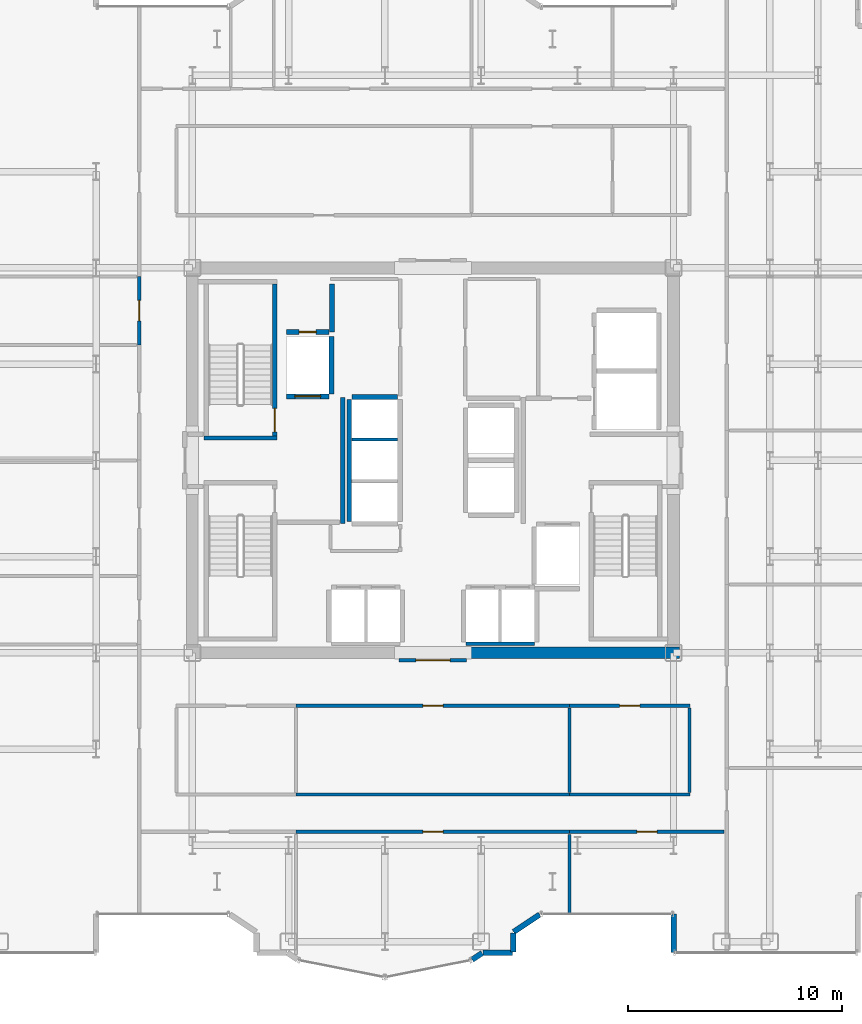
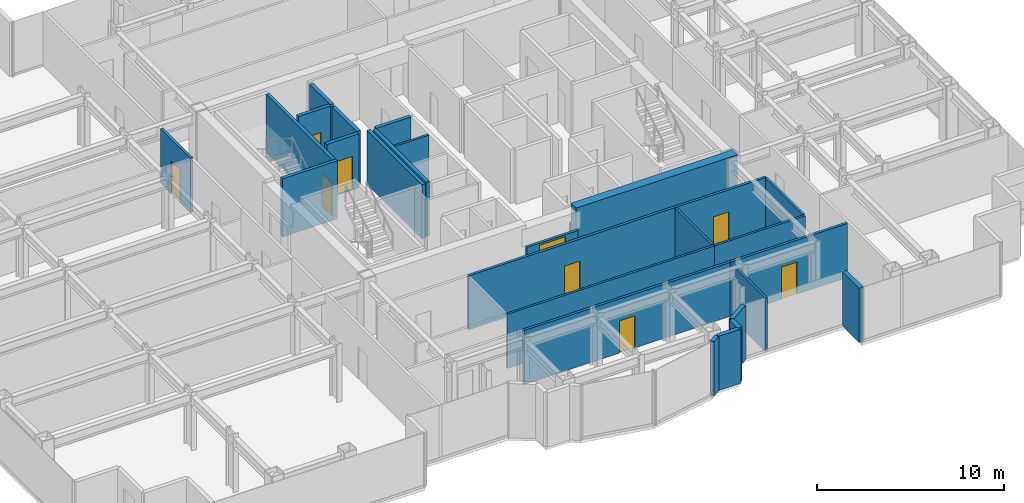
# One storey, part 18 of 23: 28 walls, 9 doors, 9 openings.
"""IFC4 building model written with IfcOpenShell, lengths in metres."""

from ifc_helpers import new_model, si_unit, direction, frame, frame_2d, origin, place, context, subcontext, project, spatial, rectangle, extrude, source, transform, mapped, material, layer, layer_set, type_object, element, fill, save


model = new_model("IFC4")

# Units and contexts
model_context = context("Model", 3, precision=1e-05, world=origin(), true_north=direction((0.0, 1.0)))
body_context = subcontext(model_context, "Body", "Model", "MODEL_VIEW")
ifc_project = project(units=[si_unit("LENGTHUNIT", "METRE"), si_unit("AREAUNIT", "SQUARE_METRE"), si_unit("VOLUMEUNIT", "CUBIC_METRE"), si_unit("PLANEANGLEUNIT", "RADIAN"), si_unit("MASSUNIT", "GRAM", prefix="KILO")], contexts=[model_context])

# Site, building, storey
site_placement = place(None, origin())
site = spatial("IfcSite", under=ifc_project, at=site_placement, CompositionType="ELEMENT")
building_placement = place(site_placement, origin())
building = spatial("IfcBuilding", under=site, at=building_placement, Name="Nefas-Gora Pilgrimage Tower", CompositionType="ELEMENT")
storey_placement = place(building_placement, frame((0.0, 0.0, 190.60009765625)))
storey = spatial("IfcBuildingStorey", under=building, at=storey_placement, Name="L47", CompositionType="ELEMENT", Elevation=190.60009765625)

# Walls
ifc_material_1 = material(Name="Concrete C60/75", Category="concrete")
ifc_layer_1 = layer(ifc_material_1, 0.550048828125)
ifc_layer_set_1 = layer_set([ifc_layer_1], Name="Concrete C60/75")
wall_type_1 = type_object("IfcWallType", Name="SW-CORE-550", PredefinedType="SHEAR", material=ifc_layer_set_1)
shared_shape_1 = source(origin(), body_context, "Body", "SweptSolid", [
    extrude(rectangle(XDim=9.974853515625, YDim=0.550048828125, at=frame_2d((4.9873046875, 0.0))), origin(), (0.0, 0.0, 1.0), 3.7998046875),
])
wall_1_placement = place(storey_placement, frame((1.550048828125, -9.0, 0.0), z_axis=(0.0, 0.0, 1.0), x_axis=(1.0, 0.0, 0.0)))
element("IfcWall", 1, at=wall_1_placement, inside=storey, type_object=wall_type_1, Name="L47 Core Shear Wall S-East", PredefinedType="SHEAR", context=body_context, shape_type="MappedRepresentation", body=[
    mapped(shared_shape_1, transform((0.0, 0.0, 0.0), x_axis=(1.0, 0.0, 0.0), y_axis=(0.0, 1.0, 0.0), z_axis=(0.0, 0.0, 1.0), scale=1.0)),
])
ifc_material_2 = material(Name="Precast concrete C40/50", Category="concrete")
ifc_layer_2 = layer(ifc_material_2, 0.260009765625)
ifc_layer_set_2 = layer_set([ifc_layer_2], Name="Precast concrete C40/50")
wall_type_2 = type_object("IfcWallType", Name="EW-PORTAL-260", PredefinedType="SOLIDWALL", material=ifc_layer_set_2)
shared_shape_2 = source(origin(), body_context, "Body", "SweptSolid", [
    extrude(rectangle(XDim=1.800048828125, YDim=0.260009765625, at=frame_2d((0.89990234375, 0.0))), origin(), (0.0, 0.0, 1.0), 3.5498046875),
])
wall_2_placement = place(storey_placement, frame((11.25, -21.219970703125, 0.0), z_axis=(0.0, 0.0, 1.0), x_axis=(0.0, -1.0, 0.0)))
element("IfcWall", 2, at=wall_2_placement, inside=storey, type_object=wall_type_2, Name="L47 Lobe Shoulder Precast Spandrel Pier 1", PredefinedType="SOLIDWALL", context=body_context, shape_type="MappedRepresentation", body=[
    mapped(shared_shape_2, transform((0.0, 0.0, 0.0), x_axis=(1.0, 0.0, 0.0), y_axis=(0.0, 1.0, 0.0), z_axis=(0.0, 0.0, 1.0), scale=1.0)),
])
shared_shape_3 = source(origin(), body_context, "Body", "SweptSolid", [
    extrude(rectangle(XDim=1.468994140625, YDim=0.260009765625, at=frame_2d((0.734375, 0.0))), origin(), (0.0, 0.0, 1.0), 3.5498046875),
])
wall_3_placement = place(storey_placement, frame((3.773193359375, -22.0517578125, 0.0), z_axis=(0.0, 0.0, 1.0), x_axis=(0.831461760506, 0.555581983884, 0.0)))
element("IfcWall", 3, at=wall_3_placement, inside=storey, type_object=wall_type_2, Name="L47 Lobe Shoulder Precast Spandrel Pier 36", PredefinedType="SOLIDWALL", context=body_context, shape_type="MappedRepresentation", body=[
    mapped(shared_shape_3, transform((0.0, 0.0, 0.0), x_axis=(1.0, 0.0, 0.0), y_axis=(0.0, 1.0, 0.0), z_axis=(0.0, 0.0, 1.0), scale=1.0)),
])
shared_shape_4 = source(origin(), body_context, "Body", "SweptSolid", [
    extrude(rectangle(XDim=0.896728515625, YDim=0.260009765625, at=frame_2d((0.4482421875, 0.0))), origin(), (0.0, 0.0, 1.0), 3.5498046875),
])
wall_4_placement = place(storey_placement, frame((3.75, -22.991943359375, 0.0), z_axis=(0.0, 0.0, 1.0), x_axis=(0.0, 1.0, 0.0)))
element("IfcWall", 4, at=wall_4_placement, inside=storey, type_object=wall_type_2, Name="L47 Lobe Shoulder Precast Spandrel Pier 35", PredefinedType="SOLIDWALL", context=body_context, shape_type="MappedRepresentation", body=[
    mapped(shared_shape_4, transform((0.0, 0.0, 0.0), x_axis=(1.0, 0.0, 0.0), y_axis=(0.0, 1.0, 0.0), z_axis=(0.0, 0.0, 1.0), scale=1.0)),
])
shared_shape_5 = source(origin(), body_context, "Body", "SweptSolid", [
    extrude(rectangle(XDim=1.369873046875, YDim=0.260009765625, at=frame_2d((0.68505859375, 0.0))), origin(), (0.0, 0.0, 1.0), 3.5498046875),
])
wall_5_placement = place(storey_placement, frame((2.35205078125, -23.02001953125, 0.0), z_axis=(0.0, 0.0, 1.0), x_axis=(1.0, 0.0, 0.0)))
element("IfcWall", 5, at=wall_5_placement, inside=storey, type_object=wall_type_2, Name="L47 Lobe Shoulder Precast Spandrel Pier 34", PredefinedType="SOLIDWALL", context=body_context, shape_type="MappedRepresentation", body=[
    mapped(shared_shape_5, transform((0.0, 0.0, 0.0), x_axis=(1.0, 0.0, 0.0), y_axis=(0.0, 1.0, 0.0), z_axis=(0.0, 0.0, 1.0), scale=1.0)),
])
shared_shape_6 = source(origin(), body_context, "Body", "SweptSolid", [
    extrude(rectangle(XDim=0.5654296875, YDim=0.260009765625, at=frame_2d((0.28271484375, 0.0))), origin(), (0.0, 0.0, 1.0), 3.5498046875),
])
wall_6_placement = place(storey_placement, frame((1.83056640625, -23.349609375, 0.0), z_axis=(0.0, 0.0, 1.0), x_axis=(0.831651492666, 0.555297933317, 0.0)))
element("IfcWall", 6, at=wall_6_placement, inside=storey, type_object=wall_type_2, Name="L47 Lobe Shoulder Precast Spandrel Pier 33", PredefinedType="SOLIDWALL", context=body_context, shape_type="MappedRepresentation", body=[
    mapped(shared_shape_6, transform((0.0, 0.0, 0.0), x_axis=(1.0, 0.0, 0.0), y_axis=(0.0, 1.0, 0.0), z_axis=(0.0, 0.0, 1.0), scale=1.0)),
])
ifc_material_3 = material(Name="Concrete C45/55", Category="concrete")
ifc_layer_3 = layer(ifc_material_3, 0.199951171875)
ifc_layer_set_3 = layer_set([ifc_layer_3], Name="Concrete C45/55")
wall_type_3 = type_object("IfcWallType", Name="IW-STAIR-200", PredefinedType="SOLIDWALL", material=ifc_layer_set_3)
shared_shape_7 = source(origin(), body_context, "Body", "SweptSolid", [
    extrude(rectangle(XDim=3.39990234375, YDim=0.199951171875, at=frame_2d((1.699951171875, 0.0))), origin(), (0.0, 0.0, 1.0), 3.7998046875),
])
wall_7_placement = place(storey_placement, frame((-7.300048828125, 1.050048828125, 0.0), z_axis=(0.0, 0.0, 1.0), x_axis=(-1.0, 0.0, 0.0)))
element("IfcWall", 7, at=wall_7_placement, inside=storey, type_object=wall_type_3, Name="L47 Stairwell Shear Wall ST-01-near", PredefinedType="SOLIDWALL", context=body_context, shape_type="MappedRepresentation", body=[
    mapped(shared_shape_7, transform((0.0, 0.0, 0.0), x_axis=(1.0, 0.0, 0.0), y_axis=(0.0, 1.0, 0.0), z_axis=(0.0, 0.0, 1.0), scale=1.0)),
])

# Wall, opening, door
shared_shape_8 = source(origin(), body_context, "Body", "SweptSolid", [
    extrude(rectangle(XDim=7.10009765625, YDim=0.199951171875, at=frame_2d((3.550048828125, 0.0))), origin(), (0.0, 0.0, 1.0), 3.7998046875),
])
wall_8_placement = place(storey_placement, frame((-7.39990234375, 1.14990234375, 0.0), z_axis=(0.0, 0.0, 1.0), x_axis=(0.0, 1.0, 0.0)))
wall_8 = element("IfcWall", 8, at=wall_8_placement, inside=storey, type_object=wall_type_3, Name="L47 Stairwell Shear Wall ST-01-left", PredefinedType="SOLIDWALL", context=body_context, shape_type="MappedRepresentation", body=[
    mapped(shared_shape_8, transform((0.0, 0.0, 0.0), x_axis=(1.0, 0.0, 0.0), y_axis=(0.0, 1.0, 0.0), z_axis=(0.0, 0.0, 1.0), scale=1.0)),
])
opening_1_placement = place(wall_8_placement, frame((0.179931640625, 0.0, 0.0)))
opening_1 = element("IfcOpeningElement", 9, at=opening_1_placement, cuts=wall_8, Name="Opening ID-ST1", PredefinedType="OPENING", context=body_context, shape_type="SweptSolid", body=[
    extrude(rectangle(XDim=1.10009765625, YDim=2.14990234375, at=frame_2d((0.550048828125, 1.074951171875))), frame((0.0, 0.10986328125, 0.0), z_axis=(0.0, -1.0, 0.0), x_axis=(1.0, 0.0, 0.0)), (0.0, 0.0, 1.0), 0.219970703125),
])
ifc_material_4 = material(Name="Painted galvanised steel fire stair door", Category="steel")
door_type_1 = type_object("IfcDoorType", Name="DR-INT-STAIR-1100", OperationType="NOTDEFINED", PredefinedType="DOOR", material=ifc_material_4)
shared_shape_9 = source(origin(), body_context, "Body", "SweptSolid", [
    extrude(rectangle(XDim=1.10009765625, YDim=2.14990234375, at=frame_2d((0.550048828125, 1.074951171875))), frame((0.0, 0.02490234375, 0.0), z_axis=(0.0, -1.0, 0.0), x_axis=(1.0, 0.0, 0.0)), (0.0, 0.0, 1.0), 0.050048828125),
])
door_1_placement = place(opening_1_placement, origin())
door_1 = element("IfcDoor", 10, at=door_1_placement, inside=storey, type_object=door_type_1, Name="L47 Protected Exit Stair Door ST-01", OperationType="SINGLE_SWING_LEFT", OverallHeight=2.14990234375, OverallWidth=1.10009765625, PredefinedType="DOOR", context=body_context, shape_type="MappedRepresentation", body=[
    mapped(shared_shape_9, transform((0.0, 0.0, 0.0), x_axis=(1.0, 0.0, 0.0), y_axis=(0.0, 1.0, 0.0), z_axis=(0.0, 0.0, 1.0), scale=1.0)),
])
fill(opening_1, door_1)

ifc_material_5 = material(Name="Concrete C40/50", Category="concrete")
ifc_layer_4 = layer(ifc_material_5, 0.219970703125)
ifc_layer_set_4 = layer_set([ifc_layer_4], Name="Concrete C40/50")
wall_type_4 = type_object("IfcWallType", Name="IW-SHAFT-220", PredefinedType="SOLIDWALL", material=ifc_layer_set_4)
shared_shape_10 = source(origin(), body_context, "Body", "SweptSolid", [
    extrude(rectangle(XDim=2.0, YDim=0.219970703125, at=frame_2d((1.0, 0.0))), origin(), (0.0, 0.0, 1.0), 3.534912109375),
])
wall_9_placement = place(storey_placement, frame((-6.85009765625, 2.989990234375, 0.0), z_axis=(0.0, 0.0, 1.0), x_axis=(1.0, 0.0, 0.0)))
wall_9 = element("IfcWall", 11, at=wall_9_placement, inside=storey, type_object=wall_type_4, Name="L47 Hoistway Wall FFL-01-S", PredefinedType="SOLIDWALL", context=body_context, shape_type="MappedRepresentation", body=[
    mapped(shared_shape_10, transform((0.0, 0.0, 0.0), x_axis=(1.0, 0.0, 0.0), y_axis=(0.0, 1.0, 0.0), z_axis=(0.0, 0.0, 1.0), scale=1.0)),
])
opening_2_placement = place(wall_9_placement, frame((0.39990234375, 0.0, 0.0)))
opening_2 = element("IfcOpeningElement", 12, at=opening_2_placement, cuts=wall_9, Name="Opening LD-FF", PredefinedType="OPENING", context=body_context, shape_type="SweptSolid", body=[
    extrude(rectangle(XDim=1.199951171875, YDim=2.199951171875, at=frame_2d((0.60009765625, 1.10009765625))), frame((0.0, 0.119873046875, 0.0), z_axis=(0.0, -1.0, 0.0), x_axis=(1.0, 0.0, 0.0)), (0.0, 0.0, 1.0), 0.239990234375),
])
ifc_material_6 = material(Name="Fire-service sliding lift landing door")
door_type_2 = type_object("IfcDoorType", Name="DR-LIFT-FSAE-1200", OperationType="SLIDING_TO_LEFT", PredefinedType="DOOR", material=ifc_material_6)
shared_shape_11 = source(origin(), body_context, "Body", "SweptSolid", [
    extrude(rectangle(XDim=1.199951171875, YDim=2.199951171875, at=frame_2d((0.60009765625, 1.10009765625))), frame((0.0, 0.02490234375, 0.0), z_axis=(0.0, -1.0, 0.0), x_axis=(1.0, 0.0, 0.0)), (0.0, 0.0, 1.0), 0.050048828125),
])
door_2_placement = place(opening_2_placement, origin())
door_2 = element("IfcDoor", 13, at=door_2_placement, inside=storey, type_object=door_type_2, Name="L47 Sliding Lift Landing Door FFL-01", OperationType="SLIDING_TO_LEFT", OverallHeight=2.199951171875, OverallWidth=1.199951171875, PredefinedType="DOOR", context=body_context, shape_type="MappedRepresentation", body=[
    mapped(shared_shape_11, transform((0.0, 0.0, 0.0), x_axis=(1.0, 0.0, 0.0), y_axis=(0.0, 1.0, 0.0), z_axis=(0.0, 0.0, 1.0), scale=1.0)),
])
fill(opening_2, door_2)

# Walls
shared_shape_12 = source(origin(), body_context, "Body", "SweptSolid", [
    extrude(rectangle(XDim=2.679931640625, YDim=0.219970703125, at=frame_2d((1.33984375, 0.0))), origin(), (0.0, 0.0, 1.0), 3.534912109375),
])
wall_10_placement = place(storey_placement, frame((-4.739990234375, 3.110107421875, 0.0), z_axis=(0.0, 0.0, 1.0), x_axis=(0.0, 1.0, 0.0)))
element("IfcWall", 14, at=wall_10_placement, inside=storey, type_object=wall_type_4, Name="L47 Hoistway Wall FFL-01-E", PredefinedType="SOLIDWALL", context=body_context, shape_type="MappedRepresentation", body=[
    mapped(shared_shape_12, transform((0.0, 0.0, 0.0), x_axis=(1.0, 0.0, 0.0), y_axis=(0.0, 1.0, 0.0), z_axis=(0.0, 0.0, 1.0), scale=1.0)),
])
shared_shape_13 = source(origin(), body_context, "Body", "SweptSolid", [
    extrude(rectangle(XDim=5.7001953125, YDim=0.219970703125, at=frame_2d((2.85009765625, 0.0))), origin(), (0.0, 0.0, 1.0), 3.534912109375),
])
wall_11_placement = place(storey_placement, frame((-3.909912109375, 2.85009765625, 0.0), z_axis=(0.0, 0.0, 1.0), x_axis=(0.0, -1.0, 0.0)))
element("IfcWall", 15, at=wall_11_placement, inside=storey, type_object=wall_type_4, Name="L47 Hoistway Wall PL3-01-03-W", PredefinedType="SOLIDWALL", context=body_context, shape_type="MappedRepresentation", body=[
    mapped(shared_shape_13, transform((0.0, 0.0, 0.0), x_axis=(1.0, 0.0, 0.0), y_axis=(0.0, 1.0, 0.0), z_axis=(0.0, 0.0, 1.0), scale=1.0)),
])
shared_shape_14 = source(origin(), body_context, "Body", "SweptSolid", [
    extrude(rectangle(XDim=2.130126953125, YDim=0.219970703125, at=frame_2d((1.06494140625, 0.0))), origin(), (0.0, 0.0, 1.0), 3.534912109375),
])
wall_12_placement = place(storey_placement, frame((-1.659912109375, 2.9599609375, 0.0), z_axis=(0.0, 0.0, 1.0), x_axis=(-1.0, 0.0, 0.0)))
element("IfcWall", 16, at=wall_12_placement, inside=storey, type_object=wall_type_4, Name="L47 Hoistway Wall PL3-03-N", PredefinedType="SOLIDWALL", context=body_context, shape_type="MappedRepresentation", body=[
    mapped(shared_shape_14, transform((0.0, 0.0, 0.0), x_axis=(1.0, 0.0, 0.0), y_axis=(0.0, 1.0, 0.0), z_axis=(0.0, 0.0, 1.0), scale=1.0)),
])
ifc_material_7 = material(Name="Gypsum twin-stud partition")
ifc_layer_5 = layer(ifc_material_7, 0.139892578125)
ifc_layer_set_5 = layer_set([ifc_layer_5], Name="Gypsum twin-stud partition")
wall_type_5 = type_object("IfcWallType", Name="IW-UNIT-140", PredefinedType="PARTITIONING", material=ifc_layer_set_5)
shared_shape_15 = source(origin(), body_context, "Body", "SweptSolid", [
    extrude(rectangle(XDim=2.130126953125, YDim=0.139892578125, at=frame_2d((1.06494140625, 0.0))), origin(), (0.0, 0.0, 1.0), 3.534912109375),
])
wall_13_placement = place(storey_placement, frame((-3.7900390625, 0.97509765625, 0.0), z_axis=(0.0, 0.0, 1.0), x_axis=(1.0, 0.0, 0.0)))
element("IfcWall", 17, at=wall_13_placement, inside=storey, type_object=wall_type_5, Name="L47 Hoistway Wall PL3-02-03-DIV", PredefinedType="PARTITIONING", context=body_context, shape_type="MappedRepresentation", body=[
    mapped(shared_shape_15, transform((0.0, 0.0, 0.0), x_axis=(1.0, 0.0, 0.0), y_axis=(0.0, 1.0, 0.0), z_axis=(0.0, 0.0, 1.0), scale=1.0)),
])
ifc_material_8 = material(Name="Gypsum acoustic stud partition")
ifc_layer_6 = layer(ifc_material_8, 0.159912109375)
ifc_layer_set_6 = layer_set([ifc_layer_6], Name="Gypsum acoustic stud partition")
wall_type_6 = type_object("IfcWallType", Name="IW-CORR-160", PredefinedType="PARTITIONING", material=ifc_layer_set_6)
shared_shape_16 = source(origin(), body_context, "Body", "SweptSolid", [
    extrude(rectangle(XDim=3.199951171875, YDim=0.159912109375, at=frame_2d((1.60009765625, 0.0))), origin(), (0.0, 0.0, 1.0), 2.4248046875),
])
wall_14_placement = place(storey_placement, frame((1.550048828125, -8.580078125, 0.0), z_axis=(0.0, 0.0, 1.0), x_axis=(1.0, 0.0, 0.0)))
element("IfcWall", 18, at=wall_14_placement, inside=storey, type_object=wall_type_6, Name="L47 Hoistway Wall PL2-E-S", PredefinedType="PARTITIONING", context=body_context, shape_type="MappedRepresentation", body=[
    mapped(shared_shape_16, transform((0.0, 0.0, 0.0), x_axis=(1.0, 0.0, 0.0), y_axis=(0.0, 1.0, 0.0), z_axis=(0.0, 0.0, 1.0), scale=1.0)),
])
ifc_material_9 = material(Name="Gypsum fire-rated shaftwall")
ifc_layer_7 = layer(ifc_material_9, 0.199951171875)
ifc_layer_set_7 = layer_set([ifc_layer_7], Name="Gypsum fire-rated shaftwall")
wall_type_7 = type_object("IfcWallType", Name="IW-FFLOB-200", PredefinedType="PARTITIONING", material=ifc_layer_set_7)
shared_shape_17 = source(origin(), body_context, "Body", "SweptSolid", [
    extrude(rectangle(XDim=5.89990234375, YDim=0.199951171875, at=frame_2d((2.949951171875, 0.0))), origin(), (0.0, 0.0, 1.0), 3.534912109375),
])
wall_15_placement = place(storey_placement, frame((-4.219970703125, -2.949951171875, 0.0), z_axis=(0.0, 0.0, 1.0), x_axis=(0.0, 1.0, 0.0)))
element("IfcWall", 19, at=wall_15_placement, inside=storey, type_object=wall_type_7, Name="L47 FF Lobby West Inner Wall Wall 5", PredefinedType="PARTITIONING", context=body_context, shape_type="MappedRepresentation", body=[
    mapped(shared_shape_17, transform((0.0, 0.0, 0.0), x_axis=(1.0, 0.0, 0.0), y_axis=(0.0, 1.0, 0.0), z_axis=(0.0, 0.0, 1.0), scale=1.0)),
])

# Wall, opening, door
shared_shape_18 = source(origin(), body_context, "Body", "SweptSolid", [
    extrude(rectangle(XDim=3.2099609375, YDim=0.159912109375, at=frame_2d((1.60498046875, 0.0))), origin(), (0.0, 0.0, 1.0), 3.534912109375),
])
wall_16_placement = place(storey_placement, frame((-13.739990234375, 5.39501953125, 0.0), z_axis=(0.0, 0.0, 1.0), x_axis=(0.0, 1.0, 0.0)))
wall_16 = element("IfcWall", 20, at=wall_16_placement, inside=storey, type_object=wall_type_6, Name="L47 Pilgrim Fellowship Seminar Room Partition Wall 36", PredefinedType="PARTITIONING", context=body_context, shape_type="MappedRepresentation", body=[
    mapped(shared_shape_18, transform((0.0, 0.0, 0.0), x_axis=(1.0, 0.0, 0.0), y_axis=(0.0, 1.0, 0.0), z_axis=(0.0, 0.0, 1.0), scale=1.0)),
])
opening_3_placement = place(wall_16_placement, frame((1.1298828125, 0.0, 0.0)))
opening_3 = element("IfcOpeningElement", 21, at=opening_3_placement, cuts=wall_16, Name="Opening ID-GR1", PredefinedType="OPENING", context=body_context, shape_type="SweptSolid", body=[
    extrude(rectangle(XDim=0.949951171875, YDim=2.10009765625, at=frame_2d((0.47509765625, 1.050048828125))), frame((0.0, 0.08984375, 0.0), z_axis=(0.0, -1.0, 0.0), x_axis=(1.0, 0.0, 0.0)), (0.0, 0.0, 1.0), 0.179931640625),
])
ifc_material_10 = material(Name="Solid core oak fire-rated guest entrance door")
door_type_3 = type_object("IfcDoorType", Name="DR-INT-GUEST-950", OperationType="NOTDEFINED", PredefinedType="DOOR", material=ifc_material_10)
shared_shape_19 = source(origin(), body_context, "Body", "SweptSolid", [
    extrude(rectangle(XDim=0.949951171875, YDim=2.10009765625, at=frame_2d((0.47509765625, 1.050048828125))), frame((0.0, 0.02490234375, 0.0), z_axis=(0.0, -1.0, 0.0), x_axis=(1.0, 0.0, 0.0)), (0.0, 0.0, 1.0), 0.050048828125),
])
door_3_placement = place(opening_3_placement, origin())
door_3 = element("IfcDoor", 22, at=door_3_placement, inside=storey, type_object=door_type_3, Name="L47 Pilgrim Fellowship Seminar Room Door 15", OperationType="SINGLE_SWING_RIGHT", OverallHeight=2.10009765625, OverallWidth=0.949951171875, PredefinedType="DOOR", context=body_context, shape_type="MappedRepresentation", body=[
    mapped(shared_shape_19, transform((0.0, 0.0, 0.0), x_axis=(1.0, 0.0, 0.0), y_axis=(0.0, 1.0, 0.0), z_axis=(0.0, 0.0, 1.0), scale=1.0)),
])
fill(opening_3, door_3)

shared_shape_20 = source(origin(), body_context, "Body", "SweptSolid", [
    extrude(rectangle(XDim=7.22509765625, YDim=0.159912109375, at=frame_2d((3.612548828125, 0.0))), origin(), (0.0, 0.0, 1.0), 3.534912109375),
])
wall_17_placement = place(storey_placement, frame((6.39501953125, -17.3701171875, 0.0), z_axis=(0.0, 0.0, 1.0), x_axis=(1.0, 0.0, 0.0)))
wall_17 = element("IfcWall", 23, at=wall_17_placement, inside=storey, type_object=wall_type_6, Name="L47 Pilgrim Contemplative Lounge Partition Wall 75", PredefinedType="PARTITIONING", context=body_context, shape_type="MappedRepresentation", body=[
    mapped(shared_shape_20, transform((0.0, 0.0, 0.0), x_axis=(1.0, 0.0, 0.0), y_axis=(0.0, 1.0, 0.0), z_axis=(0.0, 0.0, 1.0), scale=1.0)),
])
opening_4_placement = place(wall_17_placement, frame((3.137451171875, 0.0, 0.0)))
opening_4 = element("IfcOpeningElement", 24, at=opening_4_placement, cuts=wall_17, Name="Opening ID-GR1", PredefinedType="OPENING", context=body_context, shape_type="SweptSolid", body=[
    extrude(rectangle(XDim=0.949951171875, YDim=2.10009765625, at=frame_2d((0.47509765625, 1.050048828125))), frame((0.0, 0.08984375, 0.0), z_axis=(0.0, -1.0, 0.0), x_axis=(1.0, 0.0, 0.0)), (0.0, 0.0, 1.0), 0.179931640625),
])
door_4_placement = place(opening_4_placement, origin())
door_4 = element("IfcDoor", 25, at=door_4_placement, inside=storey, type_object=door_type_3, Name="L47 Pilgrim Contemplative Lounge Door 33", OperationType="SINGLE_SWING_RIGHT", OverallHeight=2.10009765625, OverallWidth=0.949951171875, PredefinedType="DOOR", context=body_context, shape_type="MappedRepresentation", body=[
    mapped(shared_shape_19, transform((0.0, 0.0, 0.0), x_axis=(1.0, 0.0, 0.0), y_axis=(0.0, 1.0, 0.0), z_axis=(0.0, 0.0, 1.0), scale=1.0)),
])
fill(opening_4, door_4)

shared_shape_21 = source(origin(), body_context, "Body", "SweptSolid", [
    extrude(rectangle(XDim=3.16015625, YDim=0.159912109375, at=frame_2d((1.580078125, 0.0))), origin(), (0.0, 0.0, 1.0), 2.4248046875),
])
wall_18_placement = place(storey_placement, frame((-1.580078125, -9.35009765625, 0.0), z_axis=(0.0, 0.0, 1.0), x_axis=(1.0, 0.0, 0.0)))
wall_18 = element("IfcWall", 26, at=wall_18_placement, inside=storey, type_object=wall_type_6, Name="L47 Central Lift Lobby South Portal Wall 16", PredefinedType="PARTITIONING", context=body_context, shape_type="MappedRepresentation", body=[
    mapped(shared_shape_21, transform((0.0, 0.0, 0.0), x_axis=(1.0, 0.0, 0.0), y_axis=(0.0, 1.0, 0.0), z_axis=(0.0, 0.0, 1.0), scale=1.0)),
])
opening_5_placement = place(wall_18_placement, frame((0.780029296875, 0.0, 0.0)))
opening_5 = element("IfcOpeningElement", 27, at=opening_5_placement, cuts=wall_18, Name="Opening ID-HL1", PredefinedType="OPENING", context=body_context, shape_type="SweptSolid", body=[
    extrude(rectangle(XDim=1.60009765625, YDim=2.300048828125, at=frame_2d((0.800048828125, 1.14990234375))), frame((0.0, 0.08984375, 0.0), z_axis=(0.0, -1.0, 0.0), x_axis=(1.0, 0.0, 0.0)), (0.0, 0.0, 1.0), 0.179931640625),
])
ifc_material_11 = material(Name="Double acoustic timber assembly hall door", Category="wood")
door_type_4 = type_object("IfcDoorType", Name="DR-INT-HALL-1600", OperationType="DOUBLE_DOOR_SINGLE_SWING", PredefinedType="DOOR", material=ifc_material_11)
shared_shape_22 = source(origin(), body_context, "Body", "SweptSolid", [
    extrude(rectangle(XDim=1.60009765625, YDim=2.300048828125, at=frame_2d((0.800048828125, 1.14990234375))), frame((0.0, 0.02490234375, 0.0), z_axis=(0.0, -1.0, 0.0), x_axis=(1.0, 0.0, 0.0)), (0.0, 0.0, 1.0), 0.050048828125),
])
door_5_placement = place(opening_5_placement, origin())
door_5 = element("IfcDoor", 28, at=door_5_placement, inside=storey, type_object=door_type_4, Name="L47 Central Lift Lobby South Portal Door 6", OperationType="DOUBLE_DOOR_SINGLE_SWING", OverallHeight=2.300048828125, OverallWidth=1.60009765625, PredefinedType="DOOR", context=body_context, shape_type="MappedRepresentation", body=[
    mapped(shared_shape_22, transform((0.0, 0.0, 0.0), x_axis=(1.0, 0.0, 0.0), y_axis=(0.0, 1.0, 0.0), z_axis=(0.0, 0.0, 1.0), scale=1.0)),
])
fill(opening_5, door_5)

# Walls
shared_shape_23 = source(origin(), body_context, "Body", "SweptSolid", [
    extrude(rectangle(XDim=3.929931640625, YDim=0.139892578125, at=frame_2d((1.96484375, 0.0))), origin(), (0.0, 0.0, 1.0), 3.534912109375),
])
for number, where, z_axis, x_axis, name in (
    (29, (6.39501953125, -15.52001953125, 0.0), (0.0, 0.0, 1.0), (0.0, 1.0, 0.0), "L47 Pilgrim Contemplative Lounge Partition Wall 74"),
    (30, (12.0, -15.52001953125, 0.0), (0.0, 0.0, 1.0), (0.0, 1.0, 0.0), "L47 Pilgrim Contemplative Lounge Partition Wall 78"),
):
    element("IfcWall", number, at=place(storey_placement, frame(where, z_axis=z_axis, x_axis=x_axis)), inside=storey, type_object=wall_type_5, Name=name, PredefinedType="PARTITIONING", context=body_context, shape_type="MappedRepresentation", body=[
        mapped(shared_shape_23, transform((0.0, 0.0, 0.0), x_axis=(1.0, 0.0, 0.0), y_axis=(0.0, 1.0, 0.0), z_axis=(0.0, 0.0, 1.0), scale=1.0)),
    ])
shared_shape_24 = source(origin(), body_context, "Body", "SweptSolid", [
    extrude(rectangle(XDim=3.75, YDim=0.139892578125, at=frame_2d((1.875, 0.0))), origin(), (0.0, 0.0, 1.0), 3.534912109375),
])
wall_19_placement = place(storey_placement, frame((6.39501953125, -21.239990234375, 0.0), z_axis=(0.0, 0.0, 1.0), x_axis=(0.0, 1.0, 0.0)))
element("IfcWall", 31, at=wall_19_placement, inside=storey, type_object=wall_type_5, Name="L47 Pilgrim Contemplative Lounge Partition Wall 71", PredefinedType="PARTITIONING", context=body_context, shape_type="MappedRepresentation", body=[
    mapped(shared_shape_24, transform((0.0, 0.0, 0.0), x_axis=(1.0, 0.0, 0.0), y_axis=(0.0, 1.0, 0.0), z_axis=(0.0, 0.0, 1.0), scale=1.0)),
])
shared_shape_25 = source(origin(), body_context, "Body", "SweptSolid", [
    extrude(rectangle(XDim=2.25, YDim=0.219970703125, at=frame_2d((1.125, 0.0))), origin(), (0.0, 0.0, 1.0), 3.534912109375),
])
wall_20_placement = place(storey_placement, frame((-4.719970703125, 6.0, 0.0), z_axis=(0.0, 0.0, 1.0), x_axis=(0.0, 1.0, 0.0)))
element("IfcWall", 32, at=wall_20_placement, inside=storey, type_object=wall_type_4, Name="L47 Riser Shaft Wall 1", PredefinedType="SOLIDWALL", context=body_context, shape_type="MappedRepresentation", body=[
    mapped(shared_shape_25, transform((0.0, 0.0, 0.0), x_axis=(1.0, 0.0, 0.0), y_axis=(0.0, 1.0, 0.0), z_axis=(0.0, 0.0, 1.0), scale=1.0)),
])

# Wall, opening, door
shared_shape_26 = source(origin(), body_context, "Body", "SweptSolid", [
    extrude(rectangle(XDim=1.97998046875, YDim=0.219970703125, at=frame_2d((0.989990234375, 0.0))), origin(), (0.0, 0.0, 1.0), 3.534912109375),
])
wall_21_placement = place(storey_placement, frame((-6.85009765625, 6.0, 0.0), z_axis=(0.0, 0.0, 1.0), x_axis=(1.0, 0.0, 0.0)))
wall_21 = element("IfcWall", 33, at=wall_21_placement, inside=storey, type_object=wall_type_4, Name="L47 Riser Shaft Wall 2", PredefinedType="SOLIDWALL", context=body_context, shape_type="MappedRepresentation", body=[
    mapped(shared_shape_26, transform((0.0, 0.0, 0.0), x_axis=(1.0, 0.0, 0.0), y_axis=(0.0, 1.0, 0.0), z_axis=(0.0, 0.0, 1.0), scale=1.0)),
])
opening_6_placement = place(wall_21_placement, frame((0.590087890625, 0.0, 0.0)))
opening_6 = element("IfcOpeningElement", 34, at=opening_6_placement, cuts=wall_21, Name="Opening ID-TR1", PredefinedType="OPENING", context=body_context, shape_type="SweptSolid", body=[
    extrude(rectangle(XDim=0.800048828125, YDim=2.0, at=frame_2d((0.39990234375, 1.0))), frame((0.0, 0.119873046875, 0.0), z_axis=(0.0, -1.0, 0.0), x_axis=(1.0, 0.0, 0.0)), (0.0, 0.0, 1.0), 0.239990234375),
])
ifc_material_12 = material(Name="Riser maintenance fire access door")
door_type_5 = type_object("IfcDoorType", Name="DR-INT-TRAP-800", OperationType="NOTDEFINED", PredefinedType="TRAPDOOR", material=ifc_material_12)
shared_shape_27 = source(origin(), body_context, "Body", "SweptSolid", [
    extrude(rectangle(XDim=0.800048828125, YDim=2.0, at=frame_2d((0.39990234375, 1.0))), frame((0.0, 0.02490234375, 0.0), z_axis=(0.0, -1.0, 0.0), x_axis=(1.0, 0.0, 0.0)), (0.0, 0.0, 1.0), 0.050048828125),
])
door_6_placement = place(opening_6_placement, origin())
door_6 = element("IfcDoor", 35, at=door_6_placement, inside=storey, type_object=door_type_5, Name="L47 Riser Shaft Door 1", OperationType="SINGLE_SWING_RIGHT", OverallHeight=2.0, OverallWidth=0.800048828125, PredefinedType="TRAPDOOR", context=body_context, shape_type="MappedRepresentation", body=[
    mapped(shared_shape_27, transform((0.0, 0.0, 0.0), x_axis=(1.0, 0.0, 0.0), y_axis=(0.0, 1.0, 0.0), z_axis=(0.0, 0.0, 1.0), scale=1.0)),
])
fill(opening_6, door_6)

shared_shape_28 = source(origin(), body_context, "Body", "SweptSolid", [
    extrude(rectangle(XDim=5.614990234375, YDim=0.159912109375, at=frame_2d((2.8076171875, 0.0))), origin(), (0.0, 0.0, 1.0), 3.534912109375),
])
wall_22_placement = place(storey_placement, frame((6.39501953125, -11.469970703125, 0.0), z_axis=(0.0, 0.0, 1.0), x_axis=(1.0, 0.0, 0.0)))
wall_22 = element("IfcWall", 36, at=wall_22_placement, inside=storey, type_object=wall_type_6, Name="L47 Pilgrim Contemplative Lounge Partition Wall 76", PredefinedType="PARTITIONING", context=body_context, shape_type="MappedRepresentation", body=[
    mapped(shared_shape_28, transform((0.0, 0.0, 0.0), x_axis=(1.0, 0.0, 0.0), y_axis=(0.0, 1.0, 0.0), z_axis=(0.0, 0.0, 1.0), scale=1.0)),
])
opening_7_placement = place(wall_22_placement, frame((2.33251953125, 0.0, 0.0)))
opening_7 = element("IfcOpeningElement", 37, at=opening_7_placement, cuts=wall_22, Name="Opening ID-GR1", PredefinedType="OPENING", context=body_context, shape_type="SweptSolid", body=[
    extrude(rectangle(XDim=0.949951171875, YDim=2.10009765625, at=frame_2d((0.47509765625, 1.050048828125))), frame((0.0, 0.08984375, 0.0), z_axis=(0.0, -1.0, 0.0), x_axis=(1.0, 0.0, 0.0)), (0.0, 0.0, 1.0), 0.179931640625),
])
door_7_placement = place(opening_7_placement, origin())
door_7 = element("IfcDoor", 38, at=door_7_placement, inside=storey, type_object=door_type_3, Name="L47 Pilgrim Contemplative Lounge Door 34", OperationType="SINGLE_SWING_LEFT", OverallHeight=2.10009765625, OverallWidth=0.949951171875, PredefinedType="DOOR", context=body_context, shape_type="MappedRepresentation", body=[
    mapped(shared_shape_19, transform((0.0, 0.0, 0.0), x_axis=(1.0, 0.0, 0.0), y_axis=(0.0, 1.0, 0.0), z_axis=(0.0, 0.0, 1.0), scale=1.0)),
])
fill(opening_7, door_7)

# Wall
shared_shape_29 = source(origin(), body_context, "Body", "SweptSolid", [
    extrude(rectangle(XDim=5.614990234375, YDim=0.139892578125, at=frame_2d((2.8076171875, 0.0))), origin(), (0.0, 0.0, 1.0), 3.534912109375),
])
wall_23_placement = place(storey_placement, frame((6.39501953125, -15.6298828125, 0.0), z_axis=(0.0, 0.0, 1.0), x_axis=(1.0, 0.0, 0.0)))
element("IfcWall", 39, at=wall_23_placement, inside=storey, type_object=wall_type_5, Name="L47 Pilgrim Contemplative Lounge Partition Wall 77", PredefinedType="PARTITIONING", context=body_context, shape_type="MappedRepresentation", body=[
    mapped(shared_shape_29, transform((0.0, 0.0, 0.0), x_axis=(1.0, 0.0, 0.0), y_axis=(0.0, 1.0, 0.0), z_axis=(0.0, 0.0, 1.0), scale=1.0)),
])

# Wall, opening, door
shared_shape_30 = source(origin(), body_context, "Body", "SweptSolid", [
    extrude(rectangle(XDim=12.81005859375, YDim=0.159912109375, at=frame_2d((6.405029296875, 0.0))), origin(), (0.0, 0.0, 1.0), 3.534912109375),
])
wall_24_placement = place(storey_placement, frame((-6.405029296875, -17.3701171875, 0.0), z_axis=(0.0, 0.0, 1.0), x_axis=(1.0, 0.0, 0.0)))
wall_24 = element("IfcWall", 40, at=wall_24_placement, inside=storey, type_object=wall_type_6, Name="L47 Pilgrim Contemplative Lounge Partition Wall 70", PredefinedType="PARTITIONING", context=body_context, shape_type="MappedRepresentation", body=[
    mapped(shared_shape_30, transform((0.0, 0.0, 0.0), x_axis=(1.0, 0.0, 0.0), y_axis=(0.0, 1.0, 0.0), z_axis=(0.0, 0.0, 1.0), scale=1.0)),
])
opening_8_placement = place(wall_24_placement, frame((5.929931640625, 0.0, 0.0)))
opening_8 = element("IfcOpeningElement", 41, at=opening_8_placement, cuts=wall_24, Name="Opening ID-GR1", PredefinedType="OPENING", context=body_context, shape_type="SweptSolid", body=[
    extrude(rectangle(XDim=0.949951171875, YDim=2.10009765625, at=frame_2d((0.47509765625, 1.050048828125))), frame((0.0, 0.08984375, 0.0), z_axis=(0.0, -1.0, 0.0), x_axis=(1.0, 0.0, 0.0)), (0.0, 0.0, 1.0), 0.179931640625),
])
door_8_placement = place(opening_8_placement, origin())
door_8 = element("IfcDoor", 42, at=door_8_placement, inside=storey, type_object=door_type_3, Name="L47 Pilgrim Contemplative Lounge Door 31", OperationType="SINGLE_SWING_RIGHT", OverallHeight=2.10009765625, OverallWidth=0.949951171875, PredefinedType="DOOR", context=body_context, shape_type="MappedRepresentation", body=[
    mapped(shared_shape_19, transform((0.0, 0.0, 0.0), x_axis=(1.0, 0.0, 0.0), y_axis=(0.0, 1.0, 0.0), z_axis=(0.0, 0.0, 1.0), scale=1.0)),
])
fill(opening_8, door_8)

wall_25_placement = place(storey_placement, frame((-6.405029296875, -11.469970703125, 0.0), z_axis=(0.0, 0.0, 1.0), x_axis=(1.0, 0.0, 0.0)))
wall_25 = element("IfcWall", 43, at=wall_25_placement, inside=storey, type_object=wall_type_6, Name="L47 Pilgrim Contemplative Lounge Partition Wall 72", PredefinedType="PARTITIONING", context=body_context, shape_type="MappedRepresentation", body=[
    mapped(shared_shape_30, transform((0.0, 0.0, 0.0), x_axis=(1.0, 0.0, 0.0), y_axis=(0.0, 1.0, 0.0), z_axis=(0.0, 0.0, 1.0), scale=1.0)),
])
opening_9_placement = place(wall_25_placement, frame((5.929931640625, 0.0, 0.0)))
opening_9 = element("IfcOpeningElement", 44, at=opening_9_placement, cuts=wall_25, Name="Opening ID-GR1", PredefinedType="OPENING", context=body_context, shape_type="SweptSolid", body=[
    extrude(rectangle(XDim=0.949951171875, YDim=2.10009765625, at=frame_2d((0.47509765625, 1.050048828125))), frame((0.0, 0.08984375, 0.0), z_axis=(0.0, -1.0, 0.0), x_axis=(1.0, 0.0, 0.0)), (0.0, 0.0, 1.0), 0.179931640625),
])
door_9_placement = place(opening_9_placement, origin())
door_9 = element("IfcDoor", 45, at=door_9_placement, inside=storey, type_object=door_type_3, Name="L47 Pilgrim Contemplative Lounge Door 32", OperationType="SINGLE_SWING_LEFT", OverallHeight=2.10009765625, OverallWidth=0.949951171875, PredefinedType="DOOR", context=body_context, shape_type="MappedRepresentation", body=[
    mapped(shared_shape_19, transform((0.0, 0.0, 0.0), x_axis=(1.0, 0.0, 0.0), y_axis=(0.0, 1.0, 0.0), z_axis=(0.0, 0.0, 1.0), scale=1.0)),
])
fill(opening_9, door_9)

# Wall
shared_shape_31 = source(origin(), body_context, "Body", "SweptSolid", [
    extrude(rectangle(XDim=12.81005859375, YDim=0.139892578125, at=frame_2d((6.405029296875, 0.0))), origin(), (0.0, 0.0, 1.0), 3.534912109375),
])
wall_26_placement = place(storey_placement, frame((-6.405029296875, -15.6298828125, 0.0), z_axis=(0.0, 0.0, 1.0), x_axis=(1.0, 0.0, 0.0)))
element("IfcWall", 46, at=wall_26_placement, inside=storey, type_object=wall_type_5, Name="L47 Pilgrim Contemplative Lounge Partition Wall 73", PredefinedType="PARTITIONING", context=body_context, shape_type="MappedRepresentation", body=[
    mapped(shared_shape_31, transform((0.0, 0.0, 0.0), x_axis=(1.0, 0.0, 0.0), y_axis=(0.0, 1.0, 0.0), z_axis=(0.0, 0.0, 1.0), scale=1.0)),
])

save(model, "model.ifc")
